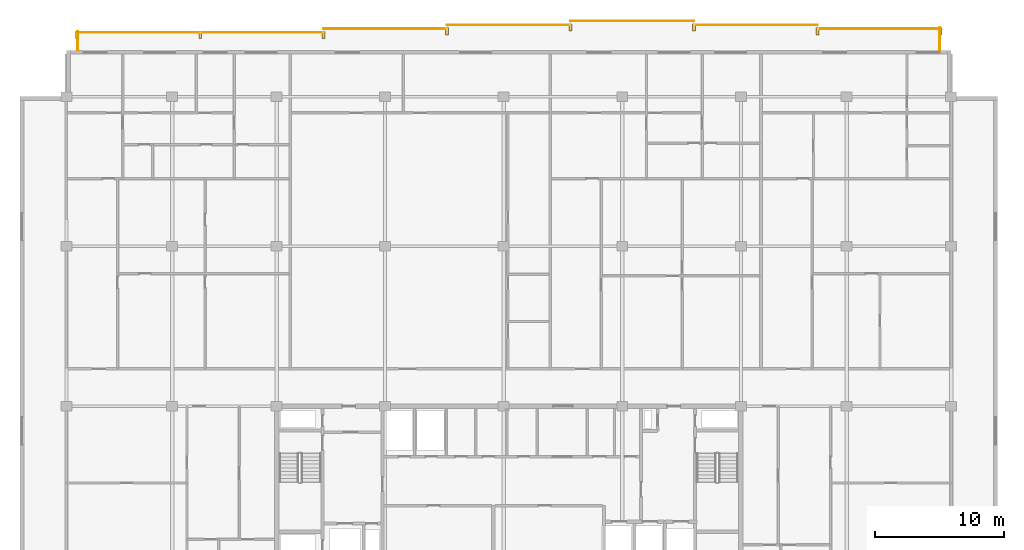
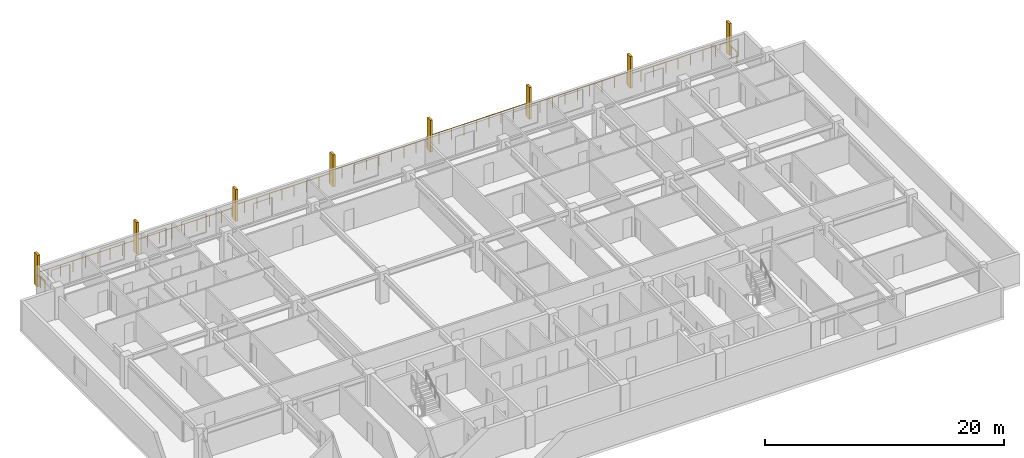
# One storey, part 11 of 11: 8 railings, 8 shading devices.
"""IFC4 building model written with IfcOpenShell, lengths in metres."""

from ifc_helpers import new_model, si_unit, direction, frame, origin, origin_2d, place, context, subcontext, project, spatial, rectangle, circle, extrude, material, type_object, element, save


model = new_model("IFC4")

# Units and contexts
model_context = context("Model", 3, precision=1e-05, world=origin(), true_north=direction((0.0, 1.0)))
body_context = subcontext(model_context, "Body", "Model", "MODEL_VIEW")
ifc_project = project(units=[si_unit("LENGTHUNIT", "METRE"), si_unit("AREAUNIT", "SQUARE_METRE"), si_unit("VOLUMEUNIT", "CUBIC_METRE"), si_unit("PLANEANGLEUNIT", "RADIAN"), si_unit("MASSUNIT", "GRAM", prefix="KILO")], contexts=[model_context])

# Site, building, storey
site_placement = place(None, origin())
site = spatial("IfcSite", under=ifc_project, at=site_placement, CompositionType="ELEMENT")
building_placement = place(site_placement, origin())
building = spatial("IfcBuilding", under=site, at=building_placement, Name="Korimba Cascade Residences", CompositionType="ELEMENT")
storey_placement = place(building_placement, frame((0.0, 0.0, 220.60009765625)))
storey = spatial("IfcBuildingStorey", under=building, at=storey_placement, Name="L64", CompositionType="ELEMENT", Elevation=220.60009765625)

# Railings
ifc_material_1 = material(Name="Laminated Glass and Bronze Balustrade", Category="glass")
railing_type = type_object("IfcRailingType", Name="RLG-LOG-1150", PredefinedType="BALUSTRADE", material=ifc_material_1)
railing_1_placement = place(storey_placement, frame((127.52001953125, 94.800048828125, 0.0)))
element("IfcRailing", 1, at=railing_1_placement, inside=storey, type_object=railing_type, Name="L64 Perimeter Guardrail RLG-L64-T1-LOG-01", PredefinedType="BALUSTRADE", context=body_context, shape_type="SweptSolid", body=[
    extrude(circle(Radius=0.02392578125, at=origin_2d()), frame((0.0, 0.0, 1.1259765625), z_axis=(0.0, 1.0, 0.0), x_axis=(-1.0, 0.0, 0.0)), (0.0, 0.0, 1.0), 1.75),
    extrude(circle(Radius=0.02099609375, at=origin_2d()), origin(), (0.0, 0.0, 1.0), 1.101806640625),
    extrude(circle(Radius=0.02099609375, at=origin_2d()), frame((0.0, 0.875, 0.0)), (0.0, 0.0, 1.0), 1.101806640625),
    extrude(circle(Radius=0.02099609375, at=origin_2d()), frame((0.0, 1.75, 0.0)), (0.0, 0.0, 1.0), 1.101806640625),
])
for number, where, name in (
    (2, (127.60009765625, 96.469970703125, 0.0), "L64 Perimeter Guardrail RLG-L64-T1-LOG-02"),
    (3, (118.028564453125, 96.77001953125, 0.0), "L64 Perimeter Guardrail RLG-L64-T1-LOG-03"),
):
    element("IfcRailing", number, at=place(storey_placement, frame(where)), inside=storey, type_object=railing_type, Name=name, PredefinedType="BALUSTRADE", context=body_context, shape_type="SweptSolid", body=[
        extrude(circle(Radius=0.02392578125, at=origin_2d()), frame((0.0, 0.0, 1.1259765625), z_axis=(-1.0, 0.0, 0.0), x_axis=(0.0, -1.0, 0.0)), (0.0, 0.0, 1.0), 9.571533203125),
        extrude(circle(Radius=0.02099609375, at=origin_2d()), origin(), (0.0, 0.0, 1.0), 1.101806640625),
        extrude(circle(Radius=0.02099609375, at=origin_2d()), frame((-1.196533203125, 0.0, 0.0)), (0.0, 0.0, 1.0), 1.101806640625),
        extrude(circle(Radius=0.02099609375, at=origin_2d()), frame((-2.392822265625, 0.0, 0.0)), (0.0, 0.0, 1.0), 1.101806640625),
        extrude(circle(Radius=0.02099609375, at=origin_2d()), frame((-3.58935546875, 0.0, 0.0)), (0.0, 0.0, 1.0), 1.101806640625),
        extrude(circle(Radius=0.02099609375, at=origin_2d()), frame((-4.78564453125, 0.0, 0.0)), (0.0, 0.0, 1.0), 1.101806640625),
        extrude(circle(Radius=0.02099609375, at=origin_2d()), frame((-5.982177734375, 0.0, 0.0)), (0.0, 0.0, 1.0), 1.101806640625),
        extrude(circle(Radius=0.02099609375, at=origin_2d()), frame((-7.1787109375, 0.0, 0.0)), (0.0, 0.0, 1.0), 1.101806640625),
        extrude(circle(Radius=0.02099609375, at=origin_2d()), frame((-8.375, 0.0, 0.0)), (0.0, 0.0, 1.0), 1.101806640625),
        extrude(circle(Radius=0.02099609375, at=origin_2d()), frame((-9.571533203125, 0.0, 0.0)), (0.0, 0.0, 1.0), 1.101806640625),
    ])
railing_2_placement = place(storey_placement, frame((108.45703125, 97.070068359375, 0.0)))
element("IfcRailing", 4, at=railing_2_placement, inside=storey, type_object=railing_type, Name="L64 Perimeter Guardrail RLG-L64-T1-LOG-04", PredefinedType="BALUSTRADE", context=body_context, shape_type="SweptSolid", body=[
    extrude(circle(Radius=0.02392578125, at=origin_2d()), frame((0.0, 0.0, 1.1259765625), z_axis=(-1.0, 0.0, 0.0), x_axis=(0.0, -1.0, 0.0)), (0.0, 0.0, 1.0), 9.5712890625),
    extrude(circle(Radius=0.02099609375, at=origin_2d()), origin(), (0.0, 0.0, 1.0), 1.101806640625),
    extrude(circle(Radius=0.02099609375, at=origin_2d()), frame((-1.1962890625, 0.0, 0.0)), (0.0, 0.0, 1.0), 1.101806640625),
    extrude(circle(Radius=0.02099609375, at=origin_2d()), frame((-2.392822265625, 0.0, 0.0)), (0.0, 0.0, 1.0), 1.101806640625),
    extrude(circle(Radius=0.02099609375, at=origin_2d()), frame((-3.58935546875, 0.0, 0.0)), (0.0, 0.0, 1.0), 1.101806640625),
    extrude(circle(Radius=0.02099609375, at=origin_2d()), frame((-4.78564453125, 0.0, 0.0)), (0.0, 0.0, 1.0), 1.101806640625),
    extrude(circle(Radius=0.02099609375, at=origin_2d()), frame((-5.98193359375, 0.0, 0.0)), (0.0, 0.0, 1.0), 1.101806640625),
    extrude(circle(Radius=0.02099609375, at=origin_2d()), frame((-7.178466796875, 0.0, 0.0)), (0.0, 0.0, 1.0), 1.101806640625),
    extrude(circle(Radius=0.02099609375, at=origin_2d()), frame((-8.375, 0.0, 0.0)), (0.0, 0.0, 1.0), 1.101806640625),
    extrude(circle(Radius=0.02099609375, at=origin_2d()), frame((-9.5712890625, 0.0, 0.0)), (0.0, 0.0, 1.0), 1.101806640625),
])
railing_3_placement = place(storey_placement, frame((98.8857421875, 96.77001953125, 0.0)))
element("IfcRailing", 5, at=railing_3_placement, inside=storey, type_object=railing_type, Name="L64 Perimeter Guardrail RLG-L64-T1-LOG-05", PredefinedType="BALUSTRADE", context=body_context, shape_type="SweptSolid", body=[
    extrude(circle(Radius=0.02392578125, at=origin_2d()), frame((0.0, 0.0, 1.1259765625), z_axis=(-1.0, 0.0, 0.0), x_axis=(0.0, -1.0, 0.0)), (0.0, 0.0, 1.0), 9.571533203125),
    extrude(circle(Radius=0.02099609375, at=origin_2d()), origin(), (0.0, 0.0, 1.0), 1.101806640625),
    extrude(circle(Radius=0.02099609375, at=origin_2d()), frame((-1.196533203125, 0.0, 0.0)), (0.0, 0.0, 1.0), 1.101806640625),
    extrude(circle(Radius=0.02099609375, at=origin_2d()), frame((-2.392822265625, 0.0, 0.0)), (0.0, 0.0, 1.0), 1.101806640625),
    extrude(circle(Radius=0.02099609375, at=origin_2d()), frame((-3.58935546875, 0.0, 0.0)), (0.0, 0.0, 1.0), 1.101806640625),
    extrude(circle(Radius=0.02099609375, at=origin_2d()), frame((-4.78564453125, 0.0, 0.0)), (0.0, 0.0, 1.0), 1.101806640625),
    extrude(circle(Radius=0.02099609375, at=origin_2d()), frame((-5.982177734375, 0.0, 0.0)), (0.0, 0.0, 1.0), 1.101806640625),
    extrude(circle(Radius=0.02099609375, at=origin_2d()), frame((-7.1787109375, 0.0, 0.0)), (0.0, 0.0, 1.0), 1.101806640625),
    extrude(circle(Radius=0.02099609375, at=origin_2d()), frame((-8.375, 0.0, 0.0)), (0.0, 0.0, 1.0), 1.101806640625),
    extrude(circle(Radius=0.02099609375, at=origin_2d()), frame((-9.571533203125, 0.0, 0.0)), (0.0, 0.0, 1.0), 1.101806640625),
])
railing_4_placement = place(storey_placement, frame((89.314208984375, 96.469970703125, 0.0)))
element("IfcRailing", 6, at=railing_4_placement, inside=storey, type_object=railing_type, Name="L64 Perimeter Guardrail RLG-L64-T1-LOG-06", PredefinedType="BALUSTRADE", context=body_context, shape_type="SweptSolid", body=[
    extrude(circle(Radius=0.02392578125, at=origin_2d()), frame((0.0, 0.0, 1.1259765625), z_axis=(-1.0, 0.0, 0.0), x_axis=(0.0, -1.0, 0.0)), (0.0, 0.0, 1.0), 9.5712890625),
    extrude(circle(Radius=0.02099609375, at=origin_2d()), origin(), (0.0, 0.0, 1.0), 1.101806640625),
    extrude(circle(Radius=0.02099609375, at=origin_2d()), frame((-1.1962890625, 0.0, 0.0)), (0.0, 0.0, 1.0), 1.101806640625),
    extrude(circle(Radius=0.02099609375, at=origin_2d()), frame((-2.392822265625, 0.0, 0.0)), (0.0, 0.0, 1.0), 1.101806640625),
    extrude(circle(Radius=0.02099609375, at=origin_2d()), frame((-3.58935546875, 0.0, 0.0)), (0.0, 0.0, 1.0), 1.101806640625),
    extrude(circle(Radius=0.02099609375, at=origin_2d()), frame((-4.78564453125, 0.0, 0.0)), (0.0, 0.0, 1.0), 1.101806640625),
    extrude(circle(Radius=0.02099609375, at=origin_2d()), frame((-5.98193359375, 0.0, 0.0)), (0.0, 0.0, 1.0), 1.101806640625),
    extrude(circle(Radius=0.02099609375, at=origin_2d()), frame((-7.178466796875, 0.0, 0.0)), (0.0, 0.0, 1.0), 1.101806640625),
    extrude(circle(Radius=0.02099609375, at=origin_2d()), frame((-8.375, 0.0, 0.0)), (0.0, 0.0, 1.0), 1.101806640625),
    extrude(circle(Radius=0.02099609375, at=origin_2d()), frame((-9.5712890625, 0.0, 0.0)), (0.0, 0.0, 1.0), 1.101806640625),
])
railing_5_placement = place(storey_placement, frame((79.742919921875, 96.169921875, 0.0)))
element("IfcRailing", 7, at=railing_5_placement, inside=storey, type_object=railing_type, Name="L64 Perimeter Guardrail RLG-L64-T1-LOG-07", PredefinedType="BALUSTRADE", context=body_context, shape_type="SweptSolid", body=[
    extrude(circle(Radius=0.02392578125, at=origin_2d()), frame((0.0, 0.0, 1.1259765625), z_axis=(-1.0, 0.0, 0.0), x_axis=(0.0, -1.0, 0.0)), (0.0, 0.0, 1.0), 19.142822265625),
    extrude(circle(Radius=0.02099609375, at=origin_2d()), origin(), (0.0, 0.0, 1.0), 1.101806640625),
    extrude(circle(Radius=0.02099609375, at=origin_2d()), frame((-1.196533203125, 0.0, 0.0)), (0.0, 0.0, 1.0), 1.101806640625),
    extrude(circle(Radius=0.02099609375, at=origin_2d()), frame((-2.392822265625, 0.0, 0.0)), (0.0, 0.0, 1.0), 1.101806640625),
    extrude(circle(Radius=0.02099609375, at=origin_2d()), frame((-3.58935546875, 0.0, 0.0)), (0.0, 0.0, 1.0), 1.101806640625),
    extrude(circle(Radius=0.02099609375, at=origin_2d()), frame((-4.78564453125, 0.0, 0.0)), (0.0, 0.0, 1.0), 1.101806640625),
    extrude(circle(Radius=0.02099609375, at=origin_2d()), frame((-5.982177734375, 0.0, 0.0)), (0.0, 0.0, 1.0), 1.101806640625),
    extrude(circle(Radius=0.02099609375, at=origin_2d()), frame((-7.178466796875, 0.0, 0.0)), (0.0, 0.0, 1.0), 1.101806640625),
    extrude(circle(Radius=0.02099609375, at=origin_2d()), frame((-8.375, 0.0, 0.0)), (0.0, 0.0, 1.0), 1.101806640625),
    extrude(circle(Radius=0.02099609375, at=origin_2d()), frame((-9.5712890625, 0.0, 0.0)), (0.0, 0.0, 1.0), 1.101806640625),
    extrude(circle(Radius=0.02099609375, at=origin_2d()), frame((-10.767822265625, 0.0, 0.0)), (0.0, 0.0, 1.0), 1.101806640625),
    extrude(circle(Radius=0.02099609375, at=origin_2d()), frame((-11.96435546875, 0.0, 0.0)), (0.0, 0.0, 1.0), 1.101806640625),
    extrude(circle(Radius=0.02099609375, at=origin_2d()), frame((-13.16064453125, 0.0, 0.0)), (0.0, 0.0, 1.0), 1.101806640625),
    extrude(circle(Radius=0.02099609375, at=origin_2d()), frame((-14.357177734375, 0.0, 0.0)), (0.0, 0.0, 1.0), 1.101806640625),
    extrude(circle(Radius=0.02099609375, at=origin_2d()), frame((-15.553466796875, 0.0, 0.0)), (0.0, 0.0, 1.0), 1.101806640625),
    extrude(circle(Radius=0.02099609375, at=origin_2d()), frame((-16.75, 0.0, 0.0)), (0.0, 0.0, 1.0), 1.101806640625),
    extrude(circle(Radius=0.02099609375, at=origin_2d()), frame((-17.9462890625, 0.0, 0.0)), (0.0, 0.0, 1.0), 1.101806640625),
    extrude(circle(Radius=0.02099609375, at=origin_2d()), frame((-19.142822265625, 0.0, 0.0)), (0.0, 0.0, 1.0), 1.101806640625),
])
railing_6_placement = place(storey_placement, frame((60.679931640625, 96.25, 0.0)))
element("IfcRailing", 8, at=railing_6_placement, inside=storey, type_object=railing_type, Name="L64 Perimeter Guardrail RLG-L64-T1-LOG-08", PredefinedType="BALUSTRADE", context=body_context, shape_type="SweptSolid", body=[
    extrude(circle(Radius=0.02392578125, at=origin_2d()), frame((0.0, 0.0, 1.1259765625), z_axis=(0.0, -1.0, 0.0), x_axis=(1.0, 0.0, 0.0)), (0.0, 0.0, 1.0), 1.449951171875),
    extrude(circle(Radius=0.02099609375, at=origin_2d()), origin(), (0.0, 0.0, 1.0), 1.101806640625),
    extrude(circle(Radius=0.02099609375, at=origin_2d()), frame((0.0, -0.72509765625, 0.0)), (0.0, 0.0, 1.0), 1.101806640625),
    extrude(circle(Radius=0.02099609375, at=origin_2d()), frame((0.0, -1.449951171875, 0.0)), (0.0, 0.0, 1.0), 1.101806640625),
])

# Shading devices
ifc_material_2 = material(Name="Honed Sandstone Precast Fin", Category="masonry")
shading_device_type = type_object("IfcShadingDeviceType", Name="SHD-FIN-550", PredefinedType="USERDEFINED", material=ifc_material_2)
for number, where, z_axis, x_axis, name in (
    (9, (60.60009765625, 95.97509765625, 0.0), (0.0, 0.0, 1.0), (1.0, 0.0, 0.0), "L64 T1 Warm-Stone Loggia Fin 1"),
    (10, (70.17138671875, 95.97509765625, 0.0), (0.0, 0.0, 1.0), (1.0, 0.0, 0.0), "L64 T1 Warm-Stone Loggia Fin 2"),
    (11, (79.742919921875, 95.97509765625, 0.0), (0.0, 0.0, 1.0), (1.0, 0.0, 0.0), "L64 T1 Warm-Stone Loggia Fin 3"),
    (12, (89.314208984375, 96.27490234375, 0.0), (0.0, 0.0, 1.0), (1.0, 0.0, 0.0), "L64 T1 Warm-Stone Loggia Fin 4"),
    (13, (98.8857421875, 96.574951171875, 0.0), (0.0, 0.0, 1.0), (1.0, 0.0, 0.0), "L64 T1 Warm-Stone Loggia Fin 5"),
    (14, (108.45703125, 96.574951171875, 0.0), (0.0, 0.0, 1.0), (1.0, 0.0, 0.0), "L64 T1 Warm-Stone Loggia Fin 6"),
    (15, (118.028564453125, 96.27490234375, 0.0), (0.0, 0.0, 1.0), (1.0, 0.0, 0.0), "L64 T1 Warm-Stone Loggia Fin 7"),
    (16, (127.60009765625, 96.27490234375, 0.0), (0.0, 0.0, 1.0), (1.0, 0.0, 0.0), "L64 T1 Warm-Stone Loggia Fin 8"),
):
    element("IfcShadingDevice", number, at=place(storey_placement, frame(where, z_axis=z_axis, x_axis=x_axis)), inside=storey, type_object=shading_device_type, Name=name, ObjectType="FIN", PredefinedType="USERDEFINED", context=body_context, shape_type="SweptSolid", body=[
        extrude(rectangle(XDim=0.219970703125, YDim=0.550048828125, at=origin_2d()), origin(), (0.0, 0.0, 1.0), 3.25),
    ])

save(model, "model.ifc")
